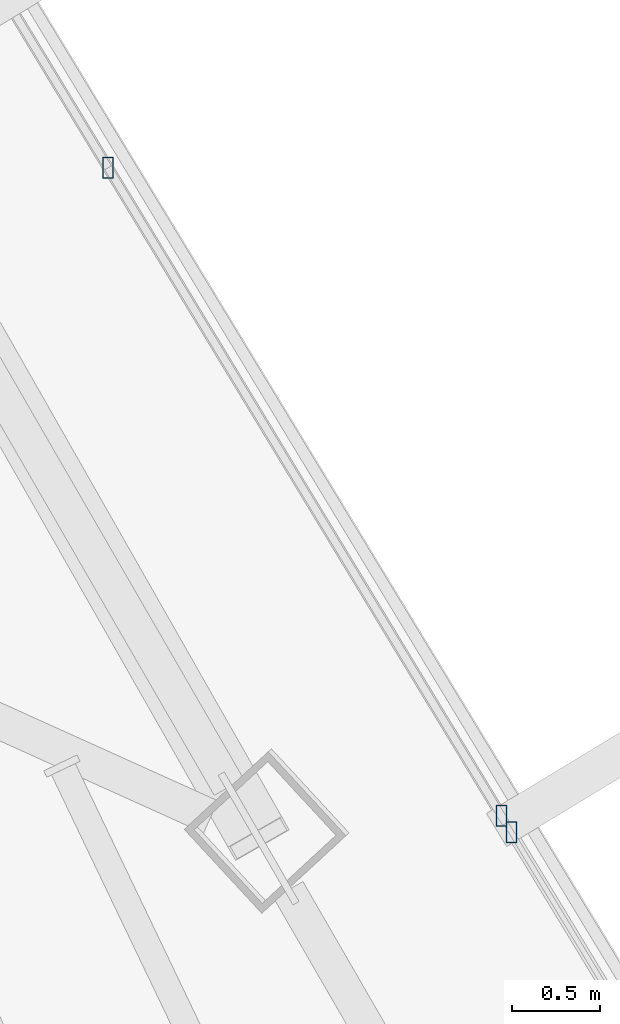
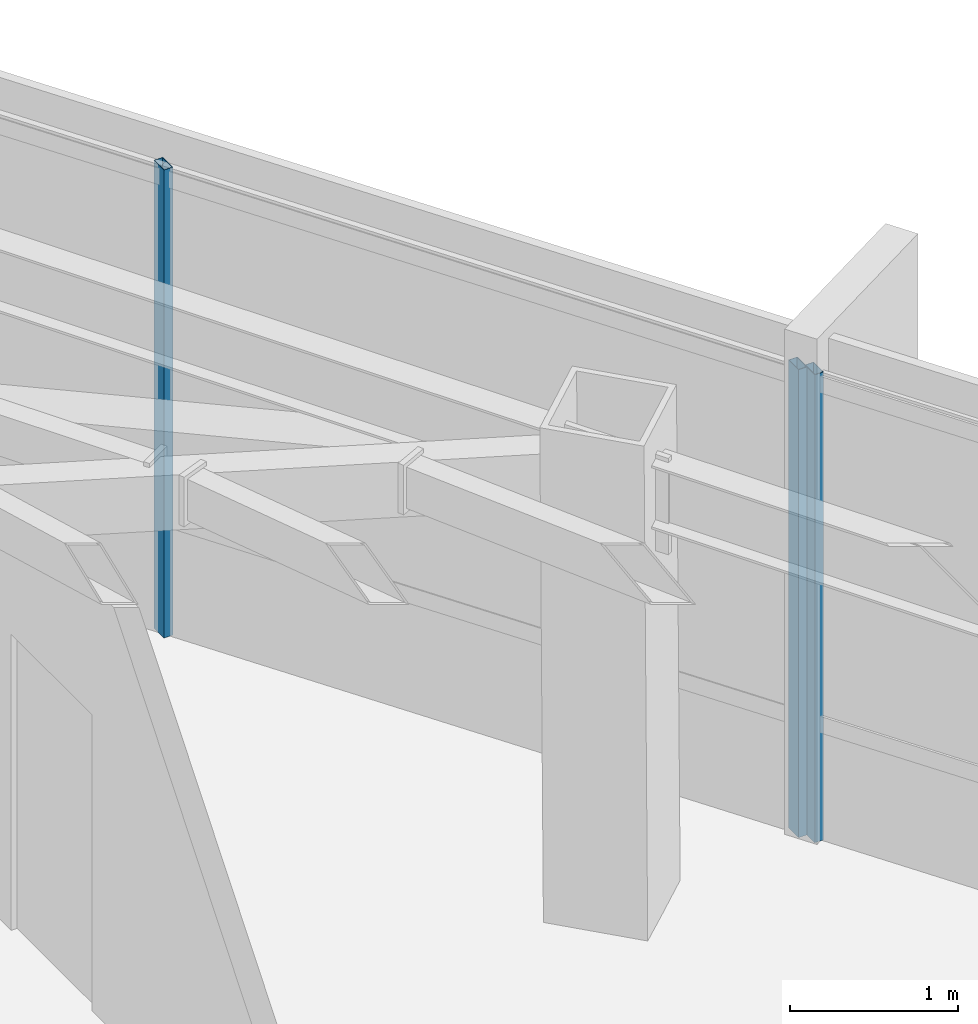
# One storey, part 28 of 47: 3 members, 2 elements without a shape of their own.
"""IFC4 building model written with IfcOpenShell, lengths in metres."""

from ifc_helpers import new_model, si_unit, direction, frame, origin, origin_2d, place, context, subcontext, project, spatial, hollow_rectangle, extrude, source, transform, mapped, material, material_profile, profile_set, type_object, type_shapes, element, aggregate, save


model = new_model("IFC4")

# Units and contexts
model_context = context("Model", 3, precision=1e-05, world=origin(), true_north=direction((0.0, 1.0)))
body_context = subcontext(model_context, "Body", "Model", "MODEL_VIEW")
ifc_project = project(units=[si_unit("LENGTHUNIT", "METRE"), si_unit("AREAUNIT", "SQUARE_METRE"), si_unit("VOLUMEUNIT", "CUBIC_METRE"), si_unit("PLANEANGLEUNIT", "RADIAN"), si_unit("MASSUNIT", "GRAM", prefix="KILO")], contexts=[model_context])

# Site, building, storey
site_placement = place(None, origin())
site = spatial("IfcSite", under=ifc_project, at=site_placement, CompositionType="ELEMENT")
building_placement = place(site_placement, origin())
building = spatial("IfcBuilding", under=site, at=building_placement, Name="Caelisora Broadcast Tower", CompositionType="ELEMENT")
storey_placement = place(building_placement, frame((0.0, 0.0, 248.10009765625)))
storey = spatial("IfcBuildingStorey", under=building, at=storey_placement, Name="L65", CompositionType="ELEMENT", Elevation=248.10009765625)

# Curtain wall, members
ifc_material_1 = material(Name="Unitised Aluminium Insulated Shadow-Box Spandrel Curtain Wall", Category="aluminium")
curtain_wall_type_1 = type_object("IfcCurtainWallType", Name="CW-SP3", PredefinedType="NOTDEFINED", material=ifc_material_1)
curtain_wall_1_placement = place(storey_placement, origin())
curtain_wall_1 = element("IfcCurtainWall", 1, at=curtain_wall_1_placement, inside=storey, type_object=curtain_wall_type_1, Name="L65 curtain wall CW-SP3", PredefinedType="NOTDEFINED")
ifc_material_2 = material(Name="Aluminium 6063-T6 Anodised Terracotta Bronze", Category="aluminium")
ifc_material_profile = material_profile(ifc_material_2, hollow_rectangle(XDim=0.06005859375, YDim=0.1201171875, WallThickness=0.0029296875, at=origin_2d()), Name="Aluminium 6063-T6 Anodised Terracotta Bronze")
ifc_profile_set = profile_set([ifc_material_profile], Name="Aluminium 6063-T6 Anodised Terracotta Bronze")
member_type = type_object("IfcMemberType", Name="CWM-04", PredefinedType="MULLION", material=ifc_profile_set)
shared_shape = source(origin(), body_context, "Body", "SweptSolid", [
    extrude(hollow_rectangle(XDim=0.06005859375, YDim=0.1201171875, WallThickness=0.0029296875, at=origin_2d()), origin(), (0.0, 0.0, 1.0), 3.39990234375),
])
type_shapes(member_type, [shared_shape])
member_1_placement = place(storey_placement, frame((52.869140625, 30.09619140625, 0.0), z_axis=(0.0, 0.0, 1.0), x_axis=(1.0, 0.0, 0.0)))
member_1 = element("IfcMember", 2, at=member_1_placement, type_object=member_type, Name="L65-CW-B02 mullion #2", PredefinedType="MULLION", context=body_context, shape_type="MappedRepresentation", body=[
    mapped(shared_shape, transform((0.0, 0.0, 0.0), scale=1.0)),
])
member_2_placement = place(storey_placement, frame((55.10400390625, 26.413818359375, 0.0), z_axis=(0.0, 0.0, 1.0), x_axis=(1.0, 0.0, 0.0)))
member_2 = element("IfcMember", 3, at=member_2_placement, type_object=member_type, Name="L65-CW-B02 mullion #3", PredefinedType="MULLION", context=body_context, shape_type="MappedRepresentation", body=[
    mapped(shared_shape, transform((0.0, 0.0, 0.0), scale=1.0)),
])
aggregate(curtain_wall_1, [member_1, member_2])

# Curtain wall, member
ifc_material_3 = material(Name="Unitised Aluminium and Low-E Glass Curtain Wall", Category="glass")
curtain_wall_type_2 = type_object("IfcCurtainWallType", Name="CW-Z5", PredefinedType="NOTDEFINED", material=ifc_material_3)
curtain_wall_2_placement = place(storey_placement, origin())
curtain_wall_2 = element("IfcCurtainWall", 4, at=curtain_wall_2_placement, inside=storey, type_object=curtain_wall_type_2, Name="L65 curtain wall CW-Z5", PredefinedType="NOTDEFINED")
member_3_placement = place(storey_placement, frame((55.160888671875, 26.31982421875, 0.0), z_axis=(0.0, 0.0, 1.0), x_axis=(1.0, 0.0, 0.0)))
member_3 = element("IfcMember", 5, at=member_3_placement, type_object=member_type, Name="L65-CW-B03 mullion #0", PredefinedType="MULLION", context=body_context, shape_type="MappedRepresentation", body=[
    mapped(shared_shape, transform((0.0, 0.0, 0.0), scale=1.0)),
])
aggregate(curtain_wall_2, [member_3])

save(model, "model.ifc")
